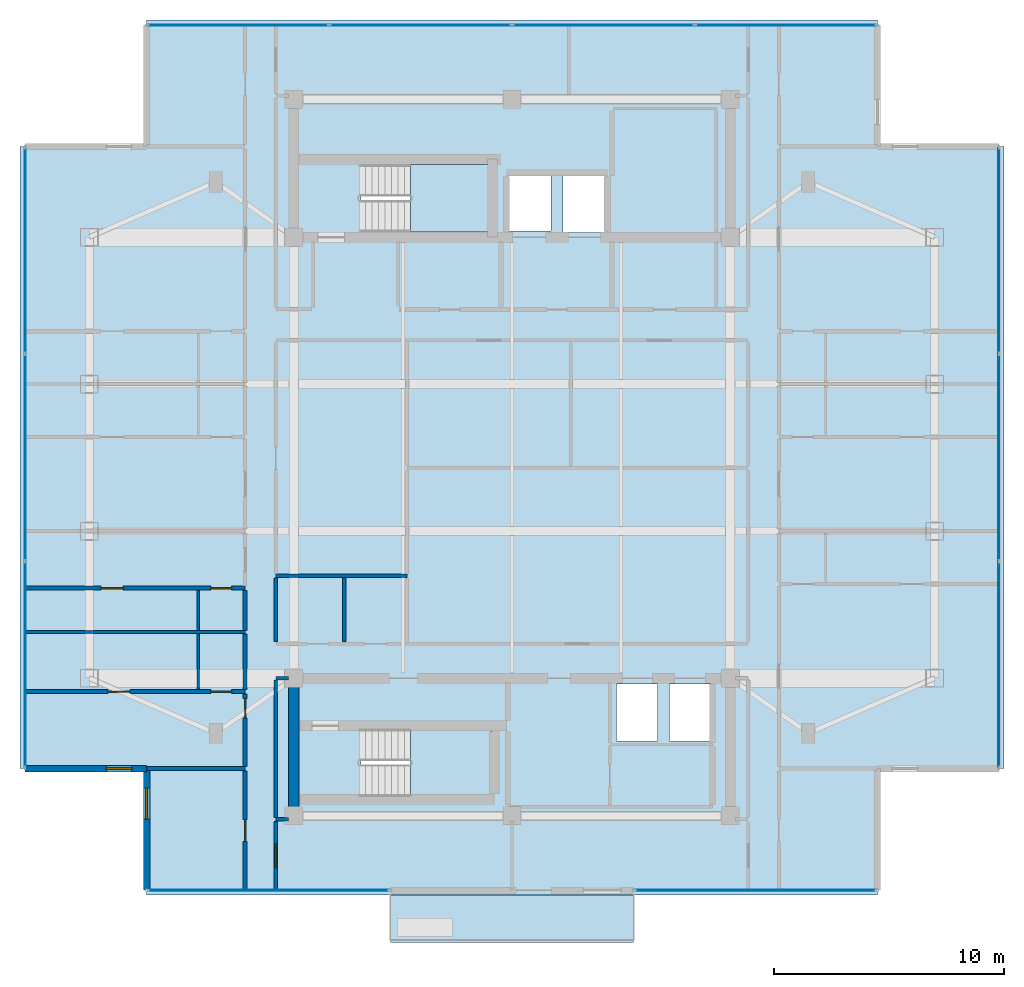
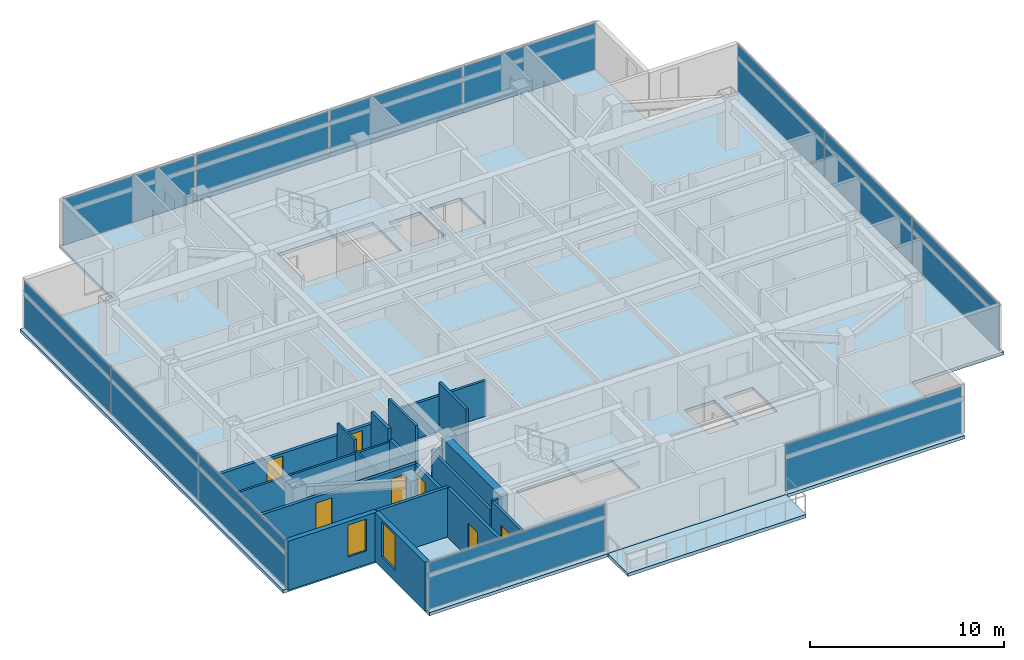
# One storey, part 7 of 14: 20 walls, 12 plates, 7 doors, 4 slabs, 2 windows, 9 openings, 7 elements without a shape of their own.
"""IFC4 building model written with IfcOpenShell, lengths in metres."""

from ifc_helpers import new_model, si_unit, direction, frame, frame_2d, origin, origin_2d, place, context, subcontext, project, spatial, polyline, rectangle, outline, extrude, material, layer, layer_set, type_object, element, fill, aggregate, save


model = new_model("IFC4")

# Units and contexts
model_context = context("Model", 3, precision=1e-05, world=origin(), true_north=direction((0.0, 1.0)))
body_context = subcontext(model_context, "Body", "Model", "MODEL_VIEW")
ifc_project = project(units=[si_unit("LENGTHUNIT", "METRE"), si_unit("AREAUNIT", "SQUARE_METRE"), si_unit("VOLUMEUNIT", "CUBIC_METRE"), si_unit("PLANEANGLEUNIT", "RADIAN"), si_unit("MASSUNIT", "GRAM", prefix="KILO")], contexts=[model_context])

# Site, building, storey
site_placement = place(None, origin())
site = spatial("IfcSite", under=ifc_project, at=site_placement, CompositionType="ELEMENT")
building_placement = place(site_placement, origin())
building = spatial("IfcBuilding", under=site, at=building_placement, Name="Mirazonda Arch Towers", CompositionType="ELEMENT")
storey_placement = place(building_placement, frame((0.0, 0.0, 232.60009765625)))
storey = spatial("IfcBuildingStorey", under=building, at=storey_placement, Name="L66", CompositionType="ELEMENT", Elevation=232.60009765625)

# Curtain wall, plate
ifc_material_1 = material(Name="Anodised Aluminium and Low-E Glass", Category="aluminium")
curtain_wall_type = type_object("IfcCurtainWallType", Name="CW-RES-UNIT", PredefinedType="NOTDEFINED", material=ifc_material_1)
curtain_wall_1_placement = place(storey_placement, origin())
curtain_wall_1 = element("IfcCurtainWall", 1, at=curtain_wall_1_placement, inside=storey, type_object=curtain_wall_type, Name="L66 Curtain Wall CW-L66-T1-SA", PredefinedType="NOTDEFINED")
ifc_material_2 = material(Name="Insulated Low-E Solar Glass", Category="glass")
ifc_layer_1 = layer(ifc_material_2, 0.0400390625, Name="PAN-CW-RES-UNIT")
ifc_layer_set_1 = layer_set([ifc_layer_1], Name="Insulated Low-E Solar Glass")
plate_type = type_object("IfcPlateType", Name="PAN-CW-RES-UNIT", PredefinedType="CURTAIN_PANEL", material=ifc_layer_set_1)
plate_1_placement = place(storey_placement, frame((31.10009765625, 9.16796875, 0.07470703125), z_axis=(0.0, 0.0, 1.0), x_axis=(-1.0, 0.0, 0.0)))
plate_1 = element("IfcPlate", 2, at=plate_1_placement, type_object=plate_type, Name="CW-104 panel 1.1", PredefinedType="CURTAIN_PANEL", context=body_context, shape_type="SweptSolid", body=[
    extrude(rectangle(XDim=10.469970703125, YDim=0.0400390625, at=origin_2d()), origin(), (0.0, 0.0, 1.0), 2.929931640625),
])
aggregate(curtain_wall_1, [plate_1])

curtain_wall_2_placement = place(storey_placement, origin())
curtain_wall_2 = element("IfcCurtainWall", 3, at=curtain_wall_2_placement, inside=storey, type_object=curtain_wall_type, Name="L66 Curtain Wall CW-L66-T1-SB", PredefinedType="NOTDEFINED")
plate_2_placement = place(storey_placement, frame((9.89990234375, 9.16796875, 0.07470703125), z_axis=(0.0, 0.0, 1.0), x_axis=(-1.0, 0.0, 0.0)))
plate_2 = element("IfcPlate", 4, at=plate_2_placement, type_object=plate_type, Name="CW-104 panel 1.1", PredefinedType="CURTAIN_PANEL", context=body_context, shape_type="SweptSolid", body=[
    extrude(rectangle(XDim=10.469970703125, YDim=0.0400390625, at=origin_2d()), origin(), (0.0, 0.0, 1.0), 2.929931640625),
])
aggregate(curtain_wall_2, [plate_2])

# Curtain wall, plates
curtain_wall_3_placement = place(storey_placement, origin())
curtain_wall_3 = element("IfcCurtainWall", 5, at=curtain_wall_3_placement, inside=storey, type_object=curtain_wall_type, Name="L66 T1 E Facade CW-L66-T1-E", PredefinedType="NOTDEFINED")
plate_3_placement = place(storey_placement, frame((41.699951171875, 18.99072265625, 0.07470703125), z_axis=(0.0, 0.0, 1.0), x_axis=(0.0, 1.0, 0.0)))
plate_3 = element("IfcPlate", 6, at=plate_3_placement, type_object=plate_type, Name="CW-104 panel 1.1", PredefinedType="CURTAIN_PANEL", context=body_context, shape_type="SweptSolid", body=[
    extrude(rectangle(XDim=8.91552734375, YDim=0.0400390625, at=origin_2d()), origin(), (0.0, 0.0, 1.0), 2.929931640625),
])
plate_4_placement = place(storey_placement, frame((41.699951171875, 28.0, 0.07470703125), z_axis=(0.0, 0.0, 1.0), x_axis=(0.0, 1.0, 0.0)))
plate_4 = element("IfcPlate", 7, at=plate_4_placement, type_object=plate_type, Name="CW-104 panel 2.1", PredefinedType="CURTAIN_PANEL", context=body_context, shape_type="SweptSolid", body=[
    extrude(rectangle(XDim=8.952880859375, YDim=0.0400390625, at=origin_2d()), origin(), (0.0, 0.0, 1.0), 2.929931640625),
])
plate_5_placement = place(storey_placement, frame((41.699951171875, 37.00927734375, 0.07470703125), z_axis=(0.0, 0.0, 1.0), x_axis=(0.0, 1.0, 0.0)))
plate_5 = element("IfcPlate", 8, at=plate_5_placement, type_object=plate_type, Name="CW-104 panel 3.1", PredefinedType="CURTAIN_PANEL", context=body_context, shape_type="SweptSolid", body=[
    extrude(rectangle(XDim=8.91552734375, YDim=0.0400390625, at=origin_2d()), origin(), (0.0, 0.0, 1.0), 2.929931640625),
])
aggregate(curtain_wall_3, [plate_3, plate_4, plate_5])

curtain_wall_4_placement = place(storey_placement, origin())
curtain_wall_4 = element("IfcCurtainWall", 9, at=curtain_wall_4_placement, inside=storey, type_object=curtain_wall_type, Name="L66 T1 N Facade CW-L66-T1-N", PredefinedType="NOTDEFINED")
plate_6_placement = place(storey_placement, frame((8.586181640625, 46.83203125, 0.07470703125), z_axis=(0.0, 0.0, 1.0), x_axis=(1.0, 0.0, 0.0)))
plate_6 = element("IfcPlate", 10, at=plate_6_placement, type_object=plate_type, Name="CW-104 panel 1.1", PredefinedType="CURTAIN_PANEL", context=body_context, shape_type="SweptSolid", body=[
    extrude(rectangle(XDim=7.842529296875, YDim=0.0400390625, at=origin_2d()), origin(), (0.0, 0.0, 1.0), 2.929931640625),
])
plate_7_placement = place(storey_placement, frame((16.5224609375, 46.83203125, 0.07470703125), z_axis=(0.0, 0.0, 1.0), x_axis=(1.0, 0.0, 0.0)))
plate_7 = element("IfcPlate", 11, at=plate_7_placement, type_object=plate_type, Name="CW-104 panel 2.1", PredefinedType="CURTAIN_PANEL", context=body_context, shape_type="SweptSolid", body=[
    extrude(rectangle(XDim=7.8798828125, YDim=0.0400390625, at=origin_2d()), origin(), (0.0, 0.0, 1.0), 2.929931640625),
])
plate_8_placement = place(storey_placement, frame((24.4775390625, 46.83203125, 0.07470703125), z_axis=(0.0, 0.0, 1.0), x_axis=(1.0, 0.0, 0.0)))
plate_8 = element("IfcPlate", 12, at=plate_8_placement, type_object=plate_type, Name="CW-104 panel 3.1", PredefinedType="CURTAIN_PANEL", context=body_context, shape_type="SweptSolid", body=[
    extrude(rectangle(XDim=7.8798828125, YDim=0.0400390625, at=origin_2d()), origin(), (0.0, 0.0, 1.0), 2.929931640625),
])
plate_9_placement = place(storey_placement, frame((32.413818359375, 46.83203125, 0.07470703125), z_axis=(0.0, 0.0, 1.0), x_axis=(1.0, 0.0, 0.0)))
plate_9 = element("IfcPlate", 13, at=plate_9_placement, type_object=plate_type, Name="CW-104 panel 4.1", PredefinedType="CURTAIN_PANEL", context=body_context, shape_type="SweptSolid", body=[
    extrude(rectangle(XDim=7.842529296875, YDim=0.0400390625, at=origin_2d()), origin(), (0.0, 0.0, 1.0), 2.929931640625),
])
aggregate(curtain_wall_4, [plate_6, plate_7, plate_8, plate_9])

curtain_wall_5_placement = place(storey_placement, origin())
curtain_wall_5 = element("IfcCurtainWall", 14, at=curtain_wall_5_placement, inside=storey, type_object=curtain_wall_type, Name="L66 T1 W Facade CW-L66-T1-W", PredefinedType="NOTDEFINED")
plate_10_placement = place(storey_placement, frame((-0.699951171875, 37.00927734375, 0.07470703125), z_axis=(0.0, 0.0, 1.0), x_axis=(0.0, -1.0, 0.0)))
plate_10 = element("IfcPlate", 15, at=plate_10_placement, type_object=plate_type, Name="CW-104 panel 1.1", PredefinedType="CURTAIN_PANEL", context=body_context, shape_type="SweptSolid", body=[
    extrude(rectangle(XDim=8.91552734375, YDim=0.0400390625, at=origin_2d()), origin(), (0.0, 0.0, 1.0), 2.929931640625),
])
plate_11_placement = place(storey_placement, frame((-0.699951171875, 28.0, 0.07470703125), z_axis=(0.0, 0.0, 1.0), x_axis=(0.0, -1.0, 0.0)))
plate_11 = element("IfcPlate", 16, at=plate_11_placement, type_object=plate_type, Name="CW-104 panel 2.1", PredefinedType="CURTAIN_PANEL", context=body_context, shape_type="SweptSolid", body=[
    extrude(rectangle(XDim=8.952880859375, YDim=0.0400390625, at=origin_2d()), origin(), (0.0, 0.0, 1.0), 2.929931640625),
])
plate_12_placement = place(storey_placement, frame((-0.699951171875, 18.99072265625, 0.07470703125), z_axis=(0.0, 0.0, 1.0), x_axis=(0.0, -1.0, 0.0)))
plate_12 = element("IfcPlate", 17, at=plate_12_placement, type_object=plate_type, Name="CW-104 panel 3.1", PredefinedType="CURTAIN_PANEL", context=body_context, shape_type="SweptSolid", body=[
    extrude(rectangle(XDim=8.91552734375, YDim=0.0400390625, at=origin_2d()), origin(), (0.0, 0.0, 1.0), 2.929931640625),
])
aggregate(curtain_wall_5, [plate_10, plate_11, plate_12])

# Stair, slab
ifc_material_3 = material(Name="Concrete C40/50", Category="concrete")
stair_type = type_object("IfcStairType", Name="STAIR-CORE-1400", PredefinedType="HALF_TURN_STAIR", material=ifc_material_3)
stair_1_placement = place(storey_placement, origin())
stair_1 = element("IfcStair", 18, at=stair_1_placement, inside=storey, type_object=stair_type, Name="L66 Protected Exit Stair ST-T1N", PredefinedType="HALF_TURN_STAIR")
ifc_layer_2 = layer(ifc_material_3, 0.18994140625, Name="SLAB-LANDING-190")
ifc_layer_set_2 = layer_set([ifc_layer_2], Name="Concrete C40/50")
slab_type_1 = type_object("IfcSlabType", Name="SLAB-LANDING-190", PredefinedType="LANDING", material=ifc_layer_set_2)
slab_1_placement = place(storey_placement, frame((0.0, 0.0, 1.449951171875)))
slab_1 = element("IfcSlab", 19, at=slab_1_placement, type_object=slab_type_1, Name="ST-T1N landing 1", PredefinedType="LANDING", context=body_context, shape_type="SweptSolid", body=[
    extrude(outline(polyline([(16.090087890625, 37.820068359375), (19.60009765625, 37.820068359375), (19.60009765625, 40.760009765625), (16.090087890625, 40.760009765625), (16.090087890625, 37.820068359375)])), origin(), (0.0, 0.0, 1.0), 0.199951171875),
])
aggregate(stair_1, [slab_1])

stair_2_placement = place(storey_placement, origin())
stair_2 = element("IfcStair", 20, at=stair_2_placement, inside=storey, type_object=stair_type, Name="L66 Protected Exit Stair ST-T1S", PredefinedType="HALF_TURN_STAIR")
slab_2_placement = place(storey_placement, frame((0.0, 0.0, 1.449951171875)))
slab_2 = element("IfcSlab", 21, at=slab_2_placement, type_object=slab_type_1, Name="ST-T1S landing 1", PredefinedType="LANDING", context=body_context, shape_type="SweptSolid", body=[
    extrude(outline(polyline([(16.090087890625, 13.25), (19.60009765625, 13.25), (19.60009765625, 16.18994140625), (16.090087890625, 16.18994140625), (16.090087890625, 13.25)])), origin(), (0.0, 0.0, 1.0), 0.199951171875),
])
aggregate(stair_2, [slab_2])

# Slabs
ifc_layer_3 = layer(ifc_material_3, 0.2099609375, Name="SLAB-TERRACE-210")
ifc_layer_set_3 = layer_set([ifc_layer_3], Name="Concrete C40/50")
slab_type_2 = type_object("IfcSlabType", Name="SLAB-TERRACE-210", PredefinedType="FLOOR", material=ifc_layer_set_3)
slab_3_placement = place(storey_placement, frame((0.0, 0.0, -0.210205078125)))
element("IfcSlab", 22, at=slab_3_placement, inside=storey, type_object=slab_type_2, Name="L66 T1 Spiralling Sky-Terrace Balcony Slab", PredefinedType="FLOOR", context=body_context, shape_type="SweptSolid", body=[
    extrude(outline(polyline([(15.199951171875, 6.89794921875), (25.800048828125, 6.89794921875), (25.800048828125, 8.9580078125), (15.199951171875, 8.9580078125), (15.199951171875, 6.89794921875)])), origin(), (0.0, 0.0, 1.0), 0.210205078125),
])
ifc_layer_4 = layer(ifc_material_3, 0.199951171875, Name="SLAB-TWR-200")
ifc_layer_set_4 = layer_set([ifc_layer_4], Name="Concrete C40/50")
slab_type_3 = type_object("IfcSlabType", Name="SLAB-TWR-200", PredefinedType="FLOOR", material=ifc_layer_set_4)
slab_4_placement = place(storey_placement, frame((0.0, 0.0, -0.2001953125)))
element("IfcSlab", 23, at=slab_4_placement, inside=storey, type_object=slab_type_3, Name="L66 Tower 1 Floor Slab", PredefinedType="FLOOR", context=body_context, shape_type="SweptSolid", body=[
    extrude(outline(polyline([(4.590087890625, 8.947998046875), (36.409912109375, 8.947998046875), (36.409912109375, 14.4580078125), (41.919921875, 14.4580078125), (41.919921875, 41.5419921875), (36.409912109375, 41.5419921875), (36.409912109375, 47.052001953125), (4.590087890625, 47.052001953125), (4.590087890625, 41.5419921875), (-0.919921875, 41.5419921875), (-0.919921875, 14.4580078125), (4.590087890625, 14.4580078125), (4.590087890625, 8.947998046875)]), holes=[polyline([(27.360107421875, 18.139892578125), (29.139892578125, 18.139892578125), (29.139892578125, 15.659912109375), (27.360107421875, 15.659912109375), (27.360107421875, 18.139892578125)]), polyline([(25.06005859375, 18.139892578125), (26.840087890625, 18.139892578125), (26.840087890625, 15.659912109375), (25.06005859375, 15.659912109375), (25.06005859375, 18.139892578125)]), polyline([(22.7099609375, 40.389892578125), (24.590087890625, 40.389892578125), (24.590087890625, 37.81005859375), (22.7099609375, 37.81005859375), (22.7099609375, 40.389892578125)]), polyline([(20.31005859375, 37.860107421875), (20.31005859375, 40.340087890625), (22.18994140625, 40.340087890625), (22.18994140625, 37.860107421875), (20.31005859375, 37.860107421875)]), polyline([(19.60009765625, 13.25), (13.925048828125, 13.25), (13.925048828125, 16.18994140625), (19.60009765625, 16.18994140625), (19.60009765625, 13.25)]), polyline([(13.925048828125, 37.820068359375), (13.925048828125, 40.760009765625), (19.60009765625, 40.760009765625), (19.60009765625, 37.820068359375), (13.925048828125, 37.820068359375)])]), origin(), (0.0, 0.0, 1.0), 0.2001953125),
])

# Wall
ifc_material_4 = material(Name="Concrete C50/60", Category="concrete")
ifc_layer_5 = layer(ifc_material_4, 0.449951171875, Name="WALL-CORE-450")
ifc_layer_set_5 = layer_set([ifc_layer_5], Name="Concrete C50/60")
wall_type_1 = type_object("IfcWallType", Name="WALL-CORE-450", PredefinedType="SHEAR", material=ifc_layer_set_5)
wall_1_placement = place(storey_placement, frame((11.0, 12.39990234375, 0.0), z_axis=(0.0, 0.0, 1.0), x_axis=(0.0, 1.0, 0.0)))
element("IfcWall", 24, at=wall_1_placement, inside=storey, type_object=wall_type_1, Name="L66 T1S-W Core Shear Wall", PredefinedType="SHEAR", context=body_context, shape_type="SweptSolid", body=[
    extrude(rectangle(XDim=6.0, YDim=0.449951171875, at=frame_2d((3.0, 0.0))), origin(), (0.0, 0.0, 1.0), 3.099853515625),
])

# Wall, opening, window
ifc_material_5 = material(Name="Precast Concrete C40/50", Category="concrete")
ifc_layer_6 = layer(ifc_material_5, 0.280029296875, Name="WALL-EXT-WALL-280")
ifc_layer_set_6 = layer_set([ifc_layer_6], Name="Precast Concrete C40/50")
wall_type_2 = type_object("IfcWallType", Name="WALL-EXT-WALL-280", PredefinedType="SOLIDWALL", material=ifc_layer_set_6)
wall_2_placement = place(storey_placement, frame((4.590087890625, 14.4580078125, 0.0), z_axis=(0.0, 0.0, 1.0), x_axis=(0.0, -1.0, 0.0)))
wall_2 = element("IfcWall", 25, at=wall_2_placement, inside=storey, type_object=wall_type_2, Name="L66 T1 Notched SW Corner Wall WL-L66-T1-CSW", PredefinedType="SOLIDWALL", context=body_context, shape_type="SweptSolid", body=[
    extrude(rectangle(XDim=5.2900390625, YDim=0.280029296875, at=frame_2d((2.64501953125, 0.0))), origin(), (0.0, 0.0, 1.0), 3.079833984375),
])
opening_1_placement = place(wall_2_placement, frame((0.85009765625, 0.0, 0.72998046875)))
opening_1 = element("IfcOpeningElement", 26, at=opening_1_placement, cuts=wall_2, Name="Opening WN-104", PredefinedType="OPENING", context=body_context, shape_type="SweptSolid", body=[
    extrude(rectangle(XDim=1.35009765625, YDim=2.199951171875, at=frame_2d((0.675048828125, 1.10009765625))), frame((0.0, 0.14990234375, 0.0), z_axis=(0.0, -1.0, 0.0), x_axis=(1.0, 0.0, 0.0)), (0.0, 0.0, 1.0), 0.300048828125),
])
window_type_1 = type_object("IfcWindowType", Name="WIN-RES-1350x2200", PartitioningType="SINGLE_PANEL", PredefinedType="WINDOW", material=ifc_material_2)
window_1_placement = place(opening_1_placement, origin())
window_1 = element("IfcWindow", 27, at=window_1_placement, inside=storey, type_object=window_type_1, Name="L66 Punched Facade Window WN-L66-T1-CSW", OverallHeight=2.199951171875, OverallWidth=1.35009765625, PartitioningType="SINGLE_PANEL", PredefinedType="WINDOW", context=body_context, shape_type="SweptSolid", body=[
    extrude(rectangle(XDim=1.35009765625, YDim=2.199951171875, at=frame_2d((0.675048828125, 1.10009765625))), frame((0.0, 0.030029296875, 0.0), z_axis=(0.0, -1.0, 0.0), x_axis=(1.0, 0.0, 0.0)), (0.0, 0.0, 1.0), 0.06005859375),
])
fill(opening_1, window_1)

wall_3_placement = place(storey_placement, frame((-0.699951171875, 14.4580078125, 0.0), z_axis=(0.0, 0.0, 1.0), x_axis=(1.0, 0.0, 0.0)))
wall_3 = element("IfcWall", 28, at=wall_3_placement, inside=storey, type_object=wall_type_2, Name="L66 T1 Corner Notch Return Wall WL-L66-T1-CSW2", PredefinedType="SOLIDWALL", context=body_context, shape_type="SweptSolid", body=[
    extrude(rectangle(XDim=5.2900390625, YDim=0.280029296875, at=frame_2d((2.64501953125, 0.0))), origin(), (0.0, 0.0, 1.0), 3.079833984375),
])
opening_2_placement = place(wall_3_placement, frame((3.5400390625, 0.0, 0.85009765625)))
opening_2 = element("IfcOpeningElement", 29, at=opening_2_placement, cuts=wall_3, Name="Opening WN-108", PredefinedType="OPENING", context=body_context, shape_type="SweptSolid", body=[
    extrude(rectangle(XDim=1.10009765625, YDim=2.0, at=frame_2d((0.550048828125, 1.0))), frame((0.0, 0.14990234375, 0.0), z_axis=(0.0, -1.0, 0.0), x_axis=(1.0, 0.0, 0.0)), (0.0, 0.0, 1.0), 0.300048828125),
])
window_type_2 = type_object("IfcWindowType", Name="WIN-NOTCH-1100x2000", PartitioningType="SINGLE_PANEL", PredefinedType="WINDOW", material=ifc_material_2)
window_2_placement = place(opening_2_placement, origin())
window_2 = element("IfcWindow", 30, at=window_2_placement, inside=storey, type_object=window_type_2, Name="L66 Punched Facade Window WN-L66-T1-CSW2", OverallHeight=2.0, OverallWidth=1.10009765625, PartitioningType="SINGLE_PANEL", PredefinedType="WINDOW", context=body_context, shape_type="SweptSolid", body=[
    extrude(rectangle(XDim=1.10009765625, YDim=2.0, at=frame_2d((0.550048828125, 1.0))), frame((0.0, 0.030029296875, 0.0), z_axis=(0.0, -1.0, 0.0), x_axis=(1.0, 0.0, 0.0)), (0.0, 0.0, 1.0), 0.06005859375),
])
fill(opening_2, window_2)

# Walls
ifc_material_6 = material(Name="Fire-Rated Gypsum Stud Partition")
ifc_layer_7 = layer(ifc_material_6, 0.14990234375, Name="WALL-PART-CORR-150")
ifc_layer_set_7 = layer_set([ifc_layer_7], Name="Fire-Rated Gypsum Stud Partition")
wall_type_3 = type_object("IfcWallType", Name="WALL-PART-CORR-150", PredefinedType="PARTITIONING", material=ifc_layer_set_7)
wall_4_placement = place(storey_placement, frame((10.219970703125, 12.25, 0.0), z_axis=(0.0, 0.0, 1.0), x_axis=(1.0, 0.0, 0.0)))
element("IfcWall", 31, at=wall_4_placement, inside=storey, type_object=wall_type_3, Name="L66 Interior Partition 001", PredefinedType="PARTITIONING", context=body_context, shape_type="SweptSolid", body=[
    extrude(rectangle(XDim=0.56005859375, YDim=0.14990234375, at=frame_2d((0.280029296875, 0.0))), origin(), (0.0, 0.0, 1.0), 3.099853515625),
])
wall_5_placement = place(storey_placement, frame((10.219970703125, 18.39990234375, 0.0), z_axis=(0.0, 0.0, 1.0), x_axis=(1.0, 0.0, 0.0)))
element("IfcWall", 32, at=wall_5_placement, inside=storey, type_object=wall_type_3, Name="L66 Interior Partition 010", PredefinedType="PARTITIONING", context=body_context, shape_type="SweptSolid", body=[
    extrude(rectangle(XDim=0.56005859375, YDim=0.14990234375, at=frame_2d((0.280029296875, 0.0))), origin(), (0.0, 0.0, 1.0), 2.491943359375),
])
wall_6_placement = place(storey_placement, frame((10.219970703125, 22.85009765625, 0.0), z_axis=(0.0, 0.0, 1.0), x_axis=(1.0, 0.0, 0.0)))
element("IfcWall", 33, at=wall_6_placement, inside=storey, type_object=wall_type_3, Name="L66 Interior Partition 016", PredefinedType="PARTITIONING", context=body_context, shape_type="SweptSolid", body=[
    extrude(rectangle(XDim=5.7099609375, YDim=0.14990234375, at=frame_2d((2.85498046875, 0.0))), origin(), (0.0, 0.0, 1.0), 2.23583984375),
])

# Wall, opening, door
wall_7_placement = place(storey_placement, frame((10.219970703125, 9.16796875, 0.0), z_axis=(0.0, 0.0, 1.0), x_axis=(0.0, 1.0, 0.0)))
wall_7 = element("IfcWall", 34, at=wall_7_placement, inside=storey, type_object=wall_type_3, Name="L66 Interior Partition 049", PredefinedType="PARTITIONING", context=body_context, shape_type="SweptSolid", body=[
    extrude(rectangle(XDim=2.9970703125, YDim=0.14990234375, at=frame_2d((1.49853515625, 0.0))), origin(), (0.0, 0.0, 1.0), 3.099853515625),
])
opening_3_placement = place(wall_7_placement, frame((0.973388671875, 0.0, 0.0)))
opening_3 = element("IfcOpeningElement", 35, at=opening_3_placement, cuts=wall_7, Name="Opening DR-121", PredefinedType="OPENING", context=body_context, shape_type="SweptSolid", body=[
    extrude(rectangle(XDim=1.050048828125, YDim=2.199951171875, at=frame_2d((0.52490234375, 1.10009765625))), frame((0.0, 0.0849609375, 0.0), z_axis=(0.0, -1.0, 0.0), x_axis=(1.0, 0.0, 0.0)), (0.0, 0.0, 1.0), 0.169921875),
])
ifc_material_7 = material(Name="Architectural Brushed Steel S355", Category="steel")
door_type_1 = type_object("IfcDoorType", Name="DOOR-SUITE-FD60-1050", OperationType="NOTDEFINED", PredefinedType="DOOR", material=ifc_material_7)
door_1_placement = place(opening_3_placement, origin())
door_1 = element("IfcDoor", 36, at=door_1_placement, inside=storey, type_object=door_type_1, Name="L66 South Horizon Lounge West Door", OperationType="SINGLE_SWING_LEFT", OverallHeight=2.199951171875, OverallWidth=1.050048828125, PredefinedType="DOOR", context=body_context, shape_type="SweptSolid", body=[
    extrude(rectangle(XDim=1.050048828125, YDim=2.199951171875, at=frame_2d((0.52490234375, 1.10009765625))), frame((0.0, 0.02490234375, 0.0), z_axis=(0.0, -1.0, 0.0), x_axis=(1.0, 0.0, 0.0)), (0.0, 0.0, 1.0), 0.050048828125),
])
fill(opening_3, door_1)

# Walls
wall_8_placement = place(storey_placement, frame((10.219970703125, 12.3349609375, 0.0), z_axis=(0.0, 0.0, 1.0), x_axis=(0.0, 1.0, 0.0)))
element("IfcWall", 37, at=wall_8_placement, inside=storey, type_object=wall_type_3, Name="L66 Interior Partition 050", PredefinedType="PARTITIONING", context=body_context, shape_type="SweptSolid", body=[
    extrude(rectangle(XDim=5.97998046875, YDim=0.14990234375, at=frame_2d((2.989990234375, 0.0))), origin(), (0.0, 0.0, 1.0), 2.491943359375),
])
for number, where, z_axis, x_axis, name in (
    (38, (10.219970703125, 19.985107421875, 0.0), (0.0, 0.0, 1.0), (0.0, 1.0, 0.0), "L66 Interior Partition 051"),
    (39, (13.199951171875, 19.985107421875, 0.0), (0.0, 0.0, 1.0), (0.0, 1.0, 0.0), "L66 Interior Partition 056"),
):
    element("IfcWall", number, at=place(storey_placement, frame(where, z_axis=z_axis, x_axis=x_axis)), inside=storey, type_object=wall_type_3, Name=name, PredefinedType="PARTITIONING", context=body_context, shape_type="SweptSolid", body=[
        extrude(rectangle(XDim=2.77978515625, YDim=0.14990234375, at=frame_2d((1.389892578125, 0.0))), origin(), (0.0, 0.0, 1.0), 3.099853515625),
    ])
ifc_material_8 = material(Name="Fire-Rated Gypsum Twin-Stud Assembly")
ifc_layer_8 = layer(ifc_material_8, 0.179931640625, Name="WALL-PART-DEMISE-180")
ifc_layer_set_8 = layer_set([ifc_layer_8], Name="Fire-Rated Gypsum Twin-Stud Assembly")
wall_type_4 = type_object("IfcWallType", Name="WALL-PART-DEMISE-180", PredefinedType="PARTITIONING", material=ifc_layer_set_8)
wall_9_placement = place(storey_placement, frame((4.610107421875, 14.4580078125, 0.0), z_axis=(0.0, 0.0, 1.0), x_axis=(1.0, 0.0, 0.0)))
element("IfcWall", 40, at=wall_9_placement, inside=storey, type_object=wall_type_4, Name="L66 Interior Partition 005", PredefinedType="PARTITIONING", context=body_context, shape_type="SweptSolid", body=[
    extrude(rectangle(XDim=4.269775390625, YDim=0.179931640625, at=frame_2d((2.134765625, 0.0))), origin(), (0.0, 0.0, 1.0), 3.099853515625),
])

# Wall, openings, doors
wall_10_placement = place(storey_placement, frame((-0.699951171875, 17.81103515625, 0.0), z_axis=(0.0, 0.0, 1.0), x_axis=(1.0, 0.0, 0.0)))
wall_10 = element("IfcWall", 41, at=wall_10_placement, inside=storey, type_object=wall_type_4, Name="L66 Interior Partition 009", PredefinedType="PARTITIONING", context=body_context, shape_type="SweptSolid", body=[
    extrude(rectangle(XDim=9.579833984375, YDim=0.179931640625, at=frame_2d((4.7900390625, 0.0))), origin(), (0.0, 0.0, 1.0), 2.54296875),
])
opening_4_placement = place(wall_10_placement, frame((3.614990234375, 0.0, 0.0)))
opening_4 = element("IfcOpeningElement", 42, at=opening_4_placement, cuts=wall_10, Name="Opening DR-104", PredefinedType="OPENING", context=body_context, shape_type="SweptSolid", body=[
    extrude(rectangle(XDim=0.949951171875, YDim=2.14990234375, at=frame_2d((0.47509765625, 1.074951171875))), frame((0.0, 0.099853515625, 0.0), z_axis=(0.0, -1.0, 0.0), x_axis=(1.0, 0.0, 0.0)), (0.0, 0.0, 1.0), 0.199951171875),
])
opening_5_placement = place(wall_10_placement, frame((8.090087890625, 0.0, 0.0)))
opening_5 = element("IfcOpeningElement", 43, at=opening_5_placement, cuts=wall_10, Name="Opening DR-120", PredefinedType="OPENING", context=body_context, shape_type="SweptSolid", body=[
    extrude(rectangle(XDim=0.89990234375, YDim=2.10009765625, at=frame_2d((0.449951171875, 1.050048828125))), frame((0.0, 0.099853515625, 0.0), z_axis=(0.0, -1.0, 0.0), x_axis=(1.0, 0.0, 0.0)), (0.0, 0.0, 1.0), 0.199951171875),
])
door_type_2 = type_object("IfcDoorType", Name="DOOR-ROOM-950", OperationType="NOTDEFINED", PredefinedType="DOOR", material=ifc_material_7)
door_2_placement = place(opening_4_placement, origin())
door_2 = element("IfcDoor", 44, at=door_2_placement, inside=storey, type_object=door_type_2, Name="L66 Guestroom Study 1 Door", OperationType="SINGLE_SWING_RIGHT", OverallHeight=2.14990234375, OverallWidth=0.949951171875, PredefinedType="DOOR", context=body_context, shape_type="SweptSolid", body=[
    extrude(rectangle(XDim=0.949951171875, YDim=2.14990234375, at=frame_2d((0.47509765625, 1.074951171875))), frame((0.0, 0.02490234375, 0.0), z_axis=(0.0, -1.0, 0.0), x_axis=(1.0, 0.0, 0.0)), (0.0, 0.0, 1.0), 0.050048828125),
])
fill(opening_4, door_2)
door_type_3 = type_object("IfcDoorType", Name="DOOR-WC-900", OperationType="NOTDEFINED", PredefinedType="DOOR", material=ifc_material_7)
door_3_placement = place(opening_5_placement, origin())
door_3 = element("IfcDoor", 45, at=door_3_placement, inside=storey, type_object=door_type_3, Name="L66 En-Suite Bathroom 1 Door", OperationType="SINGLE_SWING_LEFT", OverallHeight=2.10009765625, OverallWidth=0.89990234375, PredefinedType="DOOR", context=body_context, shape_type="SweptSolid", body=[
    extrude(rectangle(XDim=0.89990234375, YDim=2.10009765625, at=frame_2d((0.449951171875, 1.050048828125))), frame((0.0, 0.02490234375, 0.0), z_axis=(0.0, -1.0, 0.0), x_axis=(1.0, 0.0, 0.0)), (0.0, 0.0, 1.0), 0.050048828125),
])
fill(opening_5, door_3)

wall_11_placement = place(storey_placement, frame((-0.699951171875, 22.320068359375, 0.0), z_axis=(0.0, 0.0, 1.0), x_axis=(1.0, 0.0, 0.0)))
wall_11 = element("IfcWall", 46, at=wall_11_placement, inside=storey, type_object=wall_type_4, Name="L66 Interior Partition 014", PredefinedType="PARTITIONING", context=body_context, shape_type="SweptSolid", body=[
    extrude(rectangle(XDim=9.579833984375, YDim=0.179931640625, at=frame_2d((4.7900390625, 0.0))), origin(), (0.0, 0.0, 1.0), 2.31884765625),
])
opening_6_placement = place(wall_11_placement, frame((3.31494140625, 0.0, 0.0)))
opening_6 = element("IfcOpeningElement", 47, at=opening_6_placement, cuts=wall_11, Name="Opening DR-104", PredefinedType="OPENING", context=body_context, shape_type="SweptSolid", body=[
    extrude(rectangle(XDim=0.949951171875, YDim=2.14990234375, at=frame_2d((0.47509765625, 1.074951171875))), frame((0.0, 0.099853515625, 0.0), z_axis=(0.0, -1.0, 0.0), x_axis=(1.0, 0.0, 0.0)), (0.0, 0.0, 1.0), 0.199951171875),
])
opening_7_placement = place(wall_11_placement, frame((8.090087890625, 0.0, 0.0)))
opening_7 = element("IfcOpeningElement", 48, at=opening_7_placement, cuts=wall_11, Name="Opening DR-120", PredefinedType="OPENING", context=body_context, shape_type="SweptSolid", body=[
    extrude(rectangle(XDim=0.89990234375, YDim=2.10009765625, at=frame_2d((0.449951171875, 1.050048828125))), frame((0.0, 0.099853515625, 0.0), z_axis=(0.0, -1.0, 0.0), x_axis=(1.0, 0.0, 0.0)), (0.0, 0.0, 1.0), 0.199951171875),
])
door_4_placement = place(opening_6_placement, origin())
door_4 = element("IfcDoor", 49, at=door_4_placement, inside=storey, type_object=door_type_2, Name="L66 Guestroom Study 2 Door", OperationType="SINGLE_SWING_LEFT", OverallHeight=2.14990234375, OverallWidth=0.949951171875, PredefinedType="DOOR", context=body_context, shape_type="SweptSolid", body=[
    extrude(rectangle(XDim=0.949951171875, YDim=2.14990234375, at=frame_2d((0.47509765625, 1.074951171875))), frame((0.0, 0.02490234375, 0.0), z_axis=(0.0, -1.0, 0.0), x_axis=(1.0, 0.0, 0.0)), (0.0, 0.0, 1.0), 0.050048828125),
])
fill(opening_6, door_4)
door_5_placement = place(opening_7_placement, origin())
door_5 = element("IfcDoor", 50, at=door_5_placement, inside=storey, type_object=door_type_3, Name="L66 En-Suite Bathroom 2 Door", OperationType="SINGLE_SWING_RIGHT", OverallHeight=2.10009765625, OverallWidth=0.89990234375, PredefinedType="DOOR", context=body_context, shape_type="SweptSolid", body=[
    extrude(rectangle(XDim=0.89990234375, YDim=2.10009765625, at=frame_2d((0.449951171875, 1.050048828125))), frame((0.0, 0.02490234375, 0.0), z_axis=(0.0, -1.0, 0.0), x_axis=(1.0, 0.0, 0.0)), (0.0, 0.0, 1.0), 0.050048828125),
])
fill(opening_7, door_5)

# Wall, opening, door
wall_12_placement = place(storey_placement, frame((8.8798828125, 9.16796875, 0.0), z_axis=(0.0, 0.0, 1.0), x_axis=(0.0, 1.0, 0.0)))
wall_12 = element("IfcWall", 51, at=wall_12_placement, inside=storey, type_object=wall_type_4, Name="L66 Interior Partition 039", PredefinedType="PARTITIONING", context=body_context, shape_type="SweptSolid", body=[
    extrude(rectangle(XDim=5.18994140625, YDim=0.179931640625, at=frame_2d((2.594970703125, 0.0))), origin(), (0.0, 0.0, 1.0), 3.099853515625),
])
opening_8_placement = place(wall_12_placement, frame((2.1201171875, 0.0, 0.0)))
opening_8 = element("IfcOpeningElement", 52, at=opening_8_placement, cuts=wall_12, Name="Opening DR-104", PredefinedType="OPENING", context=body_context, shape_type="SweptSolid", body=[
    extrude(rectangle(XDim=0.949951171875, YDim=2.14990234375, at=frame_2d((0.47509765625, 1.074951171875))), frame((0.0, 0.099853515625, 0.0), z_axis=(0.0, -1.0, 0.0), x_axis=(1.0, 0.0, 0.0)), (0.0, 0.0, 1.0), 0.199951171875),
])
door_6_placement = place(opening_8_placement, origin())
door_6 = element("IfcDoor", 53, at=door_6_placement, inside=storey, type_object=door_type_2, Name="L66 South Horizon Lounge Alcove West Door", OperationType="SINGLE_SWING_LEFT", OverallHeight=2.14990234375, OverallWidth=0.949951171875, PredefinedType="DOOR", context=body_context, shape_type="SweptSolid", body=[
    extrude(rectangle(XDim=0.949951171875, YDim=2.14990234375, at=frame_2d((0.47509765625, 1.074951171875))), frame((0.0, 0.02490234375, 0.0), z_axis=(0.0, -1.0, 0.0), x_axis=(1.0, 0.0, 0.0)), (0.0, 0.0, 1.0), 0.050048828125),
])
fill(opening_8, door_6)

wall_13_placement = place(storey_placement, frame((8.8798828125, 14.55810546875, 0.0), z_axis=(0.0, 0.0, 1.0), x_axis=(0.0, 1.0, 0.0)))
wall_13 = element("IfcWall", 54, at=wall_13_placement, inside=storey, type_object=wall_type_4, Name="L66 Interior Partition 040", PredefinedType="PARTITIONING", context=body_context, shape_type="SweptSolid", body=[
    extrude(rectangle(XDim=3.15283203125, YDim=0.179931640625, at=frame_2d((1.576416015625, 0.0))), origin(), (0.0, 0.0, 1.0), 2.54296875),
])
opening_9_placement = place(wall_13_placement, frame((2.1015625, 0.0, 0.0)))
opening_9 = element("IfcOpeningElement", 55, at=opening_9_placement, cuts=wall_13, Name="Opening DR-128", PredefinedType="OPENING", context=body_context, shape_type="SweptSolid", body=[
    extrude(rectangle(XDim=0.85009765625, YDim=2.010009765625, at=frame_2d((0.425048828125, 1.0048828125))), frame((0.0, 0.099853515625, 0.0), z_axis=(0.0, -1.0, 0.0), x_axis=(1.0, 0.0, 0.0)), (0.0, 0.0, 1.0), 0.199951171875),
])
door_type_4 = type_object("IfcDoorType", Name="DOOR-RISER-FD60-850", OperationType="NOTDEFINED", PredefinedType="DOOR", material=ifc_material_7)
door_7_placement = place(opening_9_placement, origin())
door_7 = element("IfcDoor", 56, at=door_7_placement, inside=storey, type_object=door_type_4, Name="L66 King Hotel Guestroom 1 Door", OperationType="SINGLE_SWING_LEFT", OverallHeight=2.010009765625, OverallWidth=0.85009765625, PredefinedType="DOOR", context=body_context, shape_type="SweptSolid", body=[
    extrude(rectangle(XDim=0.85009765625, YDim=2.010009765625, at=frame_2d((0.425048828125, 1.0048828125))), frame((0.0, 0.02490234375, 0.0), z_axis=(0.0, -1.0, 0.0), x_axis=(1.0, 0.0, 0.0)), (0.0, 0.0, 1.0), 0.050048828125),
])
fill(opening_9, door_7)

# Walls
wall_14_placement = place(storey_placement, frame((8.8798828125, 17.910888671875, 0.0), z_axis=(0.0, 0.0, 1.0), x_axis=(0.0, 1.0, 0.0)))
element("IfcWall", 57, at=wall_14_placement, inside=storey, type_object=wall_type_4, Name="L66 Interior Partition 041", PredefinedType="PARTITIONING", context=body_context, shape_type="SweptSolid", body=[
    extrude(rectangle(XDim=2.41650390625, YDim=0.179931640625, at=frame_2d((1.208251953125, 0.0))), origin(), (0.0, 0.0, 1.0), 2.491943359375),
])
wall_15_placement = place(storey_placement, frame((8.8798828125, 20.472412109375, 0.0), z_axis=(0.0, 0.0, 1.0), x_axis=(0.0, 1.0, 0.0)))
element("IfcWall", 58, at=wall_15_placement, inside=storey, type_object=wall_type_4, Name="L66 Interior Partition 042", PredefinedType="PARTITIONING", context=body_context, shape_type="SweptSolid", body=[
    extrude(rectangle(XDim=1.74755859375, YDim=0.179931640625, at=frame_2d((0.873779296875, 0.0))), origin(), (0.0, 0.0, 1.0), 3.099853515625),
])
ifc_material_9 = material(Name="Acoustic Fire-Rated Gypsum Partition")
ifc_layer_9 = layer(ifc_material_9, 0.125, Name="WALL-PART-UNIT-125")
ifc_layer_set_9 = layer_set([ifc_layer_9], Name="Acoustic Fire-Rated Gypsum Partition")
wall_type_5 = type_object("IfcWallType", Name="WALL-PART-UNIT-125", PredefinedType="PARTITIONING", material=ifc_layer_set_9)
wall_16_placement = place(storey_placement, frame((-0.699951171875, 20.39990234375, 0.0), z_axis=(0.0, 0.0, 1.0), x_axis=(1.0, 0.0, 0.0)))
element("IfcWall", 59, at=wall_16_placement, inside=storey, type_object=wall_type_5, Name="L66 Interior Partition 013", PredefinedType="PARTITIONING", context=body_context, shape_type="SweptSolid", body=[
    extrude(rectangle(XDim=9.579833984375, YDim=0.125, at=frame_2d((4.7900390625, 0.0))), origin(), (0.0, 0.0, 1.0), 2.31884765625),
])
wall_17_placement = place(storey_placement, frame((6.840087890625, 17.910888671875, 0.0), z_axis=(0.0, 0.0, 1.0), x_axis=(0.0, 1.0, 0.0)))
element("IfcWall", 60, at=wall_17_placement, inside=storey, type_object=wall_type_5, Name="L66 Interior Partition 035", PredefinedType="PARTITIONING", context=body_context, shape_type="SweptSolid", body=[
    extrude(rectangle(XDim=2.41650390625, YDim=0.125, at=frame_2d((1.208251953125, 0.0))), origin(), (0.0, 0.0, 1.0), 2.491943359375),
])
wall_18_placement = place(storey_placement, frame((6.840087890625, 20.472412109375, 0.0), z_axis=(0.0, 0.0, 1.0), x_axis=(0.0, 1.0, 0.0)))
element("IfcWall", 61, at=wall_18_placement, inside=storey, type_object=wall_type_5, Name="L66 Interior Partition 036", PredefinedType="PARTITIONING", context=body_context, shape_type="SweptSolid", body=[
    extrude(rectangle(XDim=1.74755859375, YDim=0.125, at=frame_2d((0.873779296875, 0.0))), origin(), (0.0, 0.0, 1.0), 3.099853515625),
])

save(model, "model.ifc")
